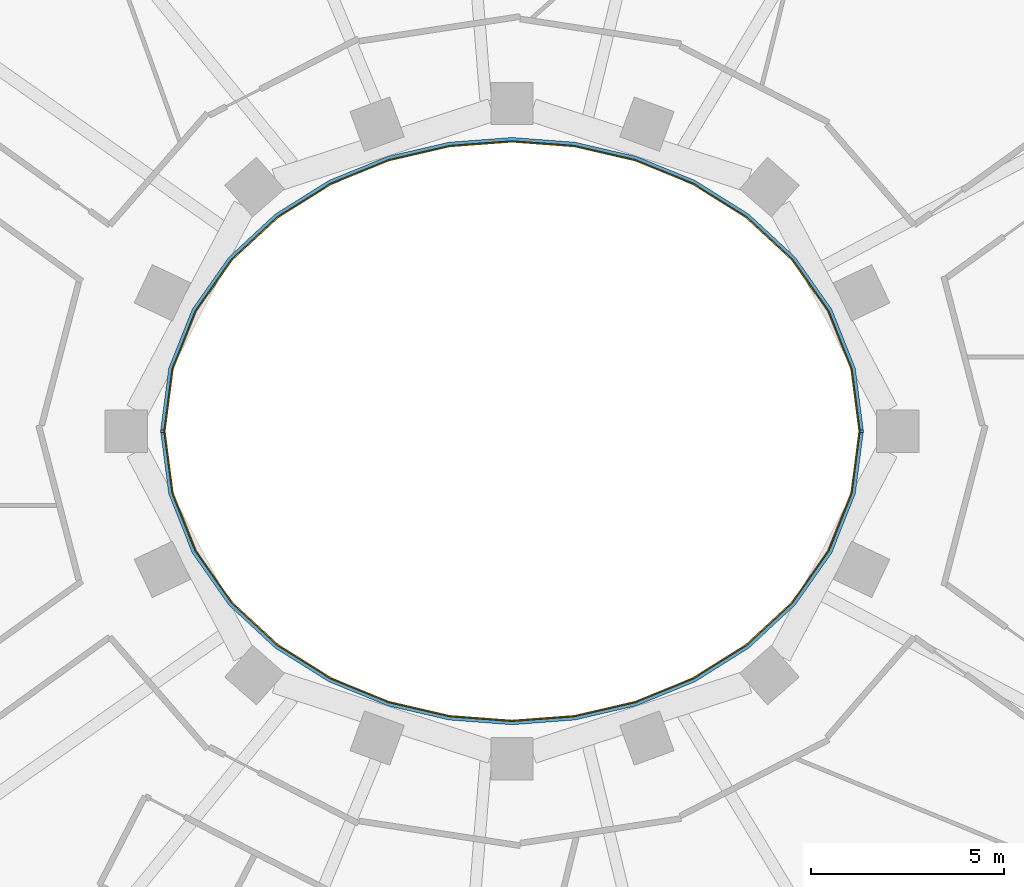
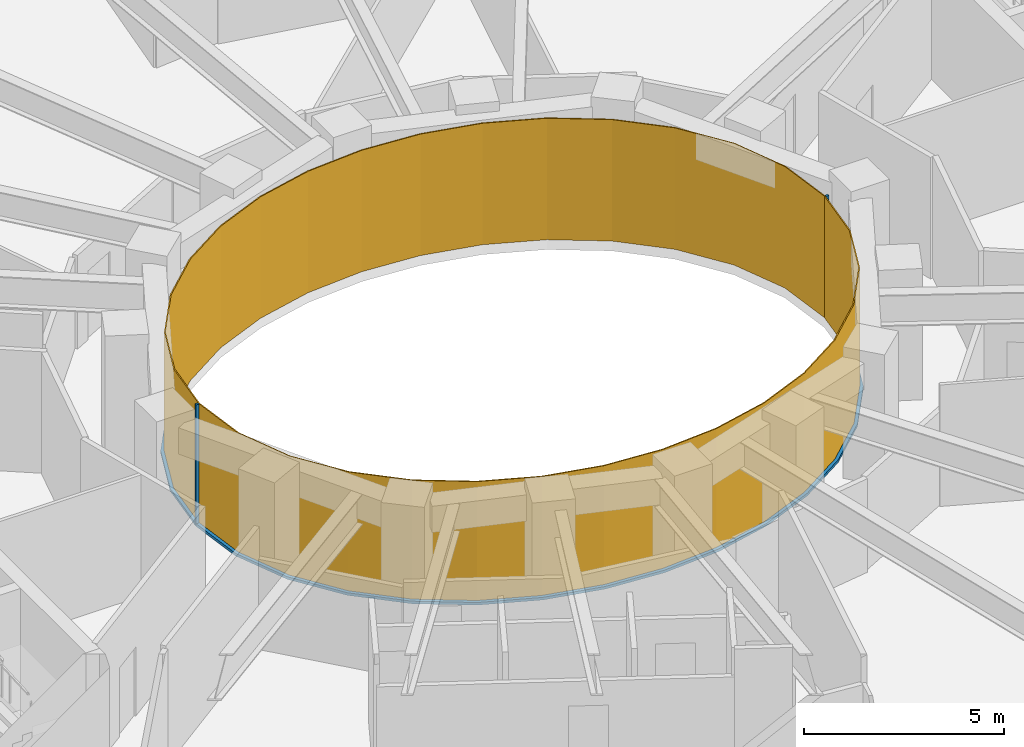
# One storey, part 10 of 15: 4 members, 2 curtain walls.
"""IFC4 building model written with IfcOpenShell, lengths in metres."""

from ifc_helpers import new_model, si_unit, direction, frame, origin, origin_2d, place, context, subcontext, project, spatial, polyline, rectangle, outline, extrude, material, layer, layer_set, material_profile, profile_set, type_object, element, aggregate, save


model = new_model("IFC4")

# Units and contexts
model_context = context("Model", 3, precision=1e-05, world=origin(), true_north=direction((0.0, 1.0)))
body_context = subcontext(model_context, "Body", "Model", "MODEL_VIEW")
ifc_project = project(units=[si_unit("LENGTHUNIT", "METRE"), si_unit("AREAUNIT", "SQUARE_METRE"), si_unit("VOLUMEUNIT", "CUBIC_METRE"), si_unit("PLANEANGLEUNIT", "RADIAN"), si_unit("MASSUNIT", "GRAM", prefix="KILO")], contexts=[model_context])

# Member
ifc_material_1 = material(Name="Steel S355 fire-resisting frame", Category="steel")
ifc_material_profile = material_profile(ifc_material_1, rectangle(XDim=0.090087890625, YDim=0.06005859375, at=origin_2d()), Name="90x60")
ifc_profile_set = profile_set([ifc_material_profile], Name="Steel S355 fire-resisting frame")
member_type_1 = type_object("IfcMemberType", Name="ENV-MULLION-W-90", PredefinedType="MULLION", material=ifc_profile_set)
site_placement = place(None, origin())
building_placement = place(site_placement, origin())
storey_placement = place(building_placement, frame((0.0, 0.0, 170.0)))
member_1_placement = place(storey_placement, frame((9.076904296875, 0.0, 0.0), z_axis=(0.0, 0.0, 1.0), x_axis=(1.0, 0.0, 0.0)))
member_1 = element("IfcMember", 1, at=member_1_placement, type_object=member_type_1, Name="Mullion W well vertex 01", PredefinedType="MULLION", context=body_context, shape_type="SweptSolid", body=[
    extrude(rectangle(XDim=0.090087890625, YDim=0.06005859375, at=origin_2d()), origin(), (0.0, 0.0, 1.0), 3.699951171875),
])

member_2_placement = place(storey_placement, frame((-9.076904296875, 0.0, 0.0), z_axis=(0.0, 0.0, 1.0), x_axis=(-1.0, 0.0, 0.0)))
member_2 = element("IfcMember", 2, at=member_2_placement, type_object=member_type_1, Name="Mullion W well vertex 17", PredefinedType="MULLION", context=body_context, shape_type="SweptSolid", body=[
    extrude(rectangle(XDim=0.090087890625, YDim=0.06005859375, at=origin_2d()), origin(), (0.0, 0.0, 1.0), 3.699951171875),
])

ifc_material_2 = material(Name="Steel S355 fire-resisting frame", Category="steel")
member_type_2 = type_object("IfcMemberType", Name="ENV-TRANSOM-W", PredefinedType="USERDEFINED", material=ifc_material_2)
member_3_placement = place(storey_placement, origin())
member_3 = element("IfcMember", 3, at=member_3_placement, type_object=member_type_2, Name="Transom W well 01-17", ObjectType="TRANSOM", PredefinedType="USERDEFINED", context=body_context, shape_type="SweptSolid", body=[
    extrude(outline(polyline([(9.119384765625, 0.02783203125), (8.910400390625, 1.63623046875), (8.29833984375, 3.167236328125), (7.35107421875, 4.5146484375), (6.1455078125, 5.6337890625), (4.75341796875, 6.50634765625), (3.233642578125, 7.127685546875), (1.635498046875, 7.498779296875), (0.0, 7.622314453125), (-1.635498046875, 7.498779296875), (-3.233642578125, 7.127685546875), (-4.75341796875, 6.50634765625), (-6.1455078125, 5.6337890625), (-7.35107421875, 4.5146484375), (-8.29833984375, 3.167236328125), (-8.910400390625, 1.63623046875), (-9.119384765625, 0.02783203125), (-9.02880859375, 0.02783203125), (-8.822509765625, 1.61328125), (-8.21875, 3.124267578125), (-7.282958984375, 4.455078125), (-6.090576171875, 5.56201171875), (-4.712158203125, 6.426025390625), (-3.206298828125, 7.04150390625), (-1.621826171875, 7.40966796875), (0.0, 7.531982421875), (1.621826171875, 7.40966796875), (3.206298828125, 7.04150390625), (4.712158203125, 6.426025390625), (6.090576171875, 5.56201171875), (7.282958984375, 4.455078125), (8.21875, 3.124267578125), (8.822509765625, 1.61328125), (9.02880859375, 0.02783203125), (9.119384765625, 0.02783203125)])), origin(), (0.0, 0.0, 1.0), 0.080078125),
])

member_4_placement = place(storey_placement, origin())
member_4 = element("IfcMember", 4, at=member_4_placement, type_object=member_type_2, Name="Transom W well 17-01", ObjectType="TRANSOM", PredefinedType="USERDEFINED", context=body_context, shape_type="SweptSolid", body=[
    extrude(outline(polyline([(-9.119384765625, -0.02783203125), (-8.910400390625, -1.63623046875), (-8.29833984375, -3.167236328125), (-7.35107421875, -4.5146484375), (-6.1455078125, -5.6337890625), (-4.75341796875, -6.50634765625), (-3.233642578125, -7.127685546875), (-1.635498046875, -7.498779296875), (0.0, -7.622314453125), (1.635498046875, -7.498779296875), (3.233642578125, -7.127685546875), (4.75341796875, -6.50634765625), (6.1455078125, -5.6337890625), (7.35107421875, -4.5146484375), (8.29833984375, -3.167236328125), (8.910400390625, -1.63623046875), (9.119384765625, -0.02783203125), (9.02880859375, -0.02783203125), (8.822509765625, -1.61328125), (8.21875, -3.124267578125), (7.282958984375, -4.455078125), (6.090576171875, -5.56201171875), (4.712158203125, -6.426025390625), (3.206298828125, -7.04150390625), (1.621826171875, -7.40966796875), (0.0, -7.531982421875), (-1.621826171875, -7.40966796875), (-3.206298828125, -7.04150390625), (-4.712158203125, -6.426025390625), (-6.090576171875, -5.56201171875), (-7.282958984375, -4.455078125), (-8.21875, -3.124267578125), (-8.822509765625, -1.61328125), (-9.02880859375, -0.02783203125), (-9.119384765625, -0.02783203125)])), origin(), (0.0, 0.0, 1.0), 0.080078125),
])

# Site, building, storey
site = spatial("IfcSite", under=ifc_project, at=site_placement, CompositionType="ELEMENT")
building = spatial("IfcBuilding", under=site, at=building_placement, Name="Noorbagh Ring Tower", CompositionType="ELEMENT")
storey = spatial("IfcBuildingStorey", under=building, at=storey_placement, Name="L39", CompositionType="ELEMENT", Elevation=170.0)

# Curtain wall
ifc_material_3 = material(Name="Glass fire-resisting E60 laminated", Category="glass")
ifc_layer = layer(ifc_material_3, 0.031982421875)
ifc_layer_set = layer_set([ifc_layer], Name="Glass fire-resisting E60 laminated")
curtain_wall_type = type_object("IfcCurtainWallType", Name="ENV-CW-W", PredefinedType="NOTDEFINED", material=ifc_layer_set)
curtain_wall_1_placement = place(storey_placement, origin())
curtain_wall_1 = element("IfcCurtainWall", 5, at=curtain_wall_1_placement, inside=storey, type_object=curtain_wall_type, Name="Curtain wall W W01", PredefinedType="NOTDEFINED", context=body_context, shape_type="SweptSolid", body=[
    extrude(outline(polyline([(9.0322265625, 0.0), (8.822509765625, 1.61328125), (8.21875, 3.124267578125), (7.282958984375, 4.455078125), (6.090576171875, 5.56201171875), (4.712158203125, 6.426025390625), (3.206298828125, 7.04150390625), (1.621826171875, 7.40966796875), (0.0, 7.531982421875), (-1.621826171875, 7.40966796875), (-3.206298828125, 7.04150390625), (-4.712158203125, 6.426025390625), (-6.090576171875, 5.56201171875), (-7.282958984375, 4.455078125), (-8.21875, 3.124267578125), (-8.822509765625, 1.61328125), (-9.0322265625, 0.0), (-9.0, 0.0), (-8.79150390625, 1.605224609375), (-8.1904296875, 3.10888671875), (-7.2587890625, 4.43408203125), (-6.071044921875, 5.53662109375), (-4.697509765625, 6.3974609375), (-3.196533203125, 7.010986328125), (-1.6171875, 7.3779296875), (0.0, 7.5), (1.6171875, 7.3779296875), (3.196533203125, 7.010986328125), (4.697509765625, 6.3974609375), (6.071044921875, 5.53662109375), (7.2587890625, 4.43408203125), (8.1904296875, 3.10888671875), (8.79150390625, 1.605224609375), (9.0, 0.0), (9.0322265625, 0.0)])), origin(), (0.0, 0.0, 1.0), 3.699951171875),
])

aggregate(curtain_wall_1, [member_1, member_2, member_3])

curtain_wall_2_placement = place(storey_placement, origin())
curtain_wall_2 = element("IfcCurtainWall", 6, at=curtain_wall_2_placement, inside=storey, type_object=curtain_wall_type, Name="Curtain wall W W17", PredefinedType="NOTDEFINED", context=body_context, shape_type="SweptSolid", body=[
    extrude(outline(polyline([(-9.0322265625, 0.0), (-8.822509765625, -1.61328125), (-8.21875, -3.124267578125), (-7.282958984375, -4.455078125), (-6.090576171875, -5.56201171875), (-4.712158203125, -6.426025390625), (-3.206298828125, -7.04150390625), (-1.621826171875, -7.40966796875), (0.0, -7.531982421875), (1.621826171875, -7.40966796875), (3.206298828125, -7.04150390625), (4.712158203125, -6.426025390625), (6.090576171875, -5.56201171875), (7.282958984375, -4.455078125), (8.21875, -3.124267578125), (8.822509765625, -1.61328125), (9.0322265625, 0.0), (9.0, 0.0), (8.79150390625, -1.605224609375), (8.1904296875, -3.10888671875), (7.2587890625, -4.43408203125), (6.071044921875, -5.53662109375), (4.697509765625, -6.3974609375), (3.196533203125, -7.010986328125), (1.6171875, -7.3779296875), (0.0, -7.5), (-1.6171875, -7.3779296875), (-3.196533203125, -7.010986328125), (-4.697509765625, -6.3974609375), (-6.071044921875, -5.53662109375), (-7.2587890625, -4.43408203125), (-8.1904296875, -3.10888671875), (-8.79150390625, -1.605224609375), (-9.0, 0.0), (-9.0322265625, 0.0)])), origin(), (0.0, 0.0, 1.0), 3.699951171875),
])

aggregate(curtain_wall_2, [member_4])

save(model, "model.ifc")
